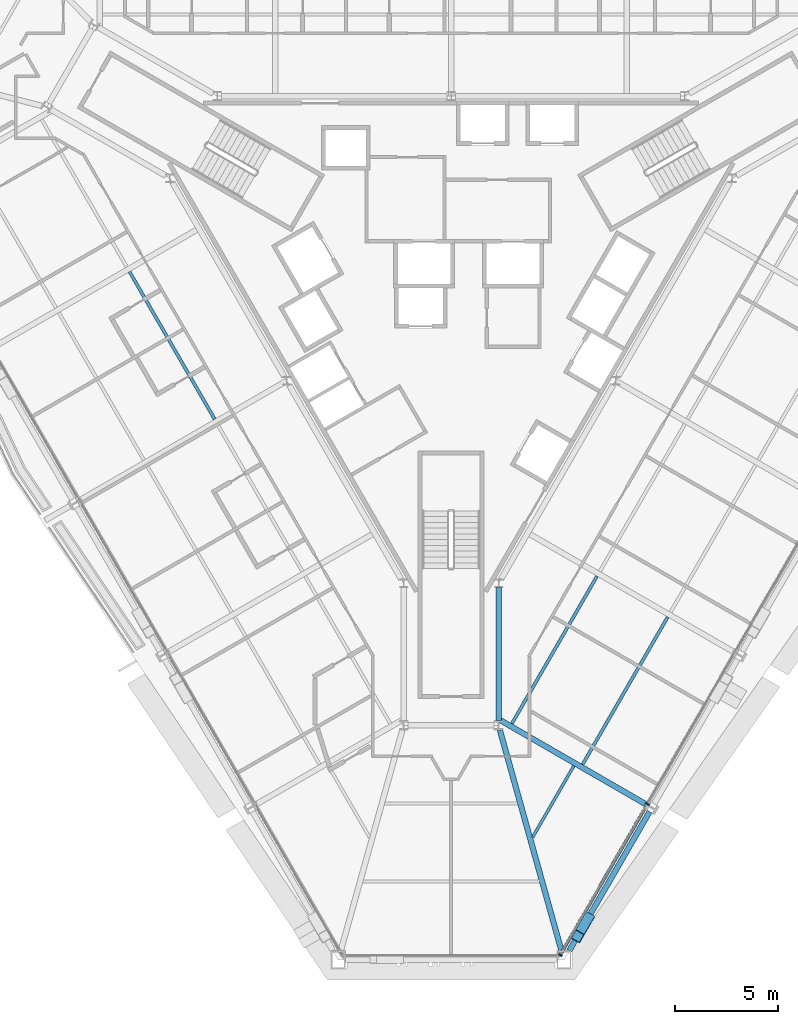
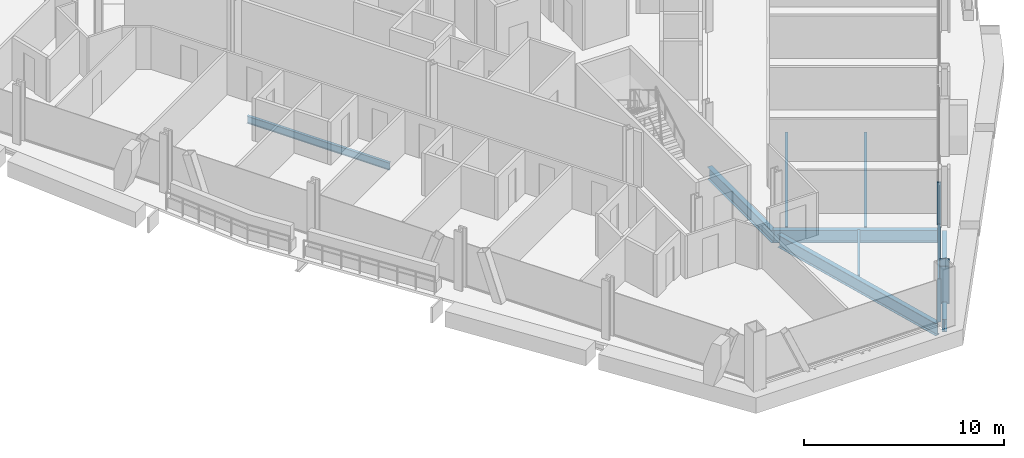
# One storey, part 4 of 18: 8 beams, 4 members, 1 element without a shape of its own.
"""IFC4 building model written with IfcOpenShell, lengths in metres."""

from ifc_helpers import new_model, si_unit, direction, frame, origin, origin_2d, place, context, subcontext, project, spatial, rectangle, hollow_rectangle, i_section, extrude, material, material_profile, profile_set, type_object, element, aggregate, save


model = new_model("IFC4")

# Units and contexts
model_context = context("Model", 3, precision=1e-05, world=origin(), true_north=direction((0.0, 1.0)))
body_context = subcontext(model_context, "Body", "Model", "MODEL_VIEW")
ifc_project = project(units=[si_unit("LENGTHUNIT", "METRE"), si_unit("AREAUNIT", "SQUARE_METRE"), si_unit("VOLUMEUNIT", "CUBIC_METRE"), si_unit("PLANEANGLEUNIT", "RADIAN"), si_unit("MASSUNIT", "GRAM", prefix="KILO")], contexts=[model_context])

# Site, building, storey
site_placement = place(None, origin())
site = spatial("IfcSite", under=ifc_project, at=site_placement, CompositionType="ELEMENT")
building_placement = place(site_placement, origin())
building = spatial("IfcBuilding", under=site, at=building_placement, Name="Verrane Prism Tower", CompositionType="ELEMENT")
storey_placement = place(building_placement, frame((0.0, 0.0, 54.800048828125)))
storey = spatial("IfcBuildingStorey", under=building, at=storey_placement, Name="L11", CompositionType="ELEMENT", Elevation=54.800048828125)

# Beams
ifc_material_1 = material(Name="Steel A992", Category="steel")
ifc_material_profile_1 = material_profile(ifc_material_1, i_section(OverallWidth=0.2666015625, OverallDepth=0.7568359375, WebThickness=0.013916015625, FlangeThickness=0.019287109375, FilletRadius=0.0166015625, at=origin_2d()), Name="W30x108")
ifc_profile_set_1 = profile_set([ifc_material_profile_1], Name="Steel A992")
beam_type_1 = type_object("IfcBeamType", Name="Core ring girder W30x108", PredefinedType="BEAM", material=ifc_profile_set_1)
beam_1_placement = place(storey_placement, frame((2.300048828125, -21.07275390625, -0.628662109375), z_axis=(0.0, 1.0, 0.0), x_axis=(-1.0, 0.0, 0.0)))
element("IfcBeam", 1, at=beam_1_placement, inside=storey, type_object=beam_type_1, Name="Core ring girder L11", PredefinedType="BEAM", context=body_context, shape_type="SweptSolid", body=[
    extrude(i_section(OverallWidth=0.2666015625, OverallDepth=0.7568359375, WebThickness=0.013916015625, FlangeThickness=0.019287109375, FilletRadius=0.0166015625, at=origin_2d()), origin(), (0.0, 0.0, 1.0), 6.4443359375),
])
ifc_material_2 = material(Name="Steel A992", Category="steel")
ifc_material_profile_2 = material_profile(ifc_material_2, i_section(OverallWidth=0.2666015625, OverallDepth=0.76708984375, WebThickness=0.014892578125, FlangeThickness=0.023681640625, FilletRadius=0.0166015625, at=origin_2d()), Name="W30x124")
ifc_profile_set_2 = profile_set([ifc_material_profile_2], Name="Steel A992")
beam_type_2 = type_object("IfcBeamType", Name="Corner girder W30x124", PredefinedType="BEAM", material=ifc_profile_set_2)
beam_2_placement = place(storey_placement, frame((5.344482421875, -32.2099609375, -0.603515625), z_axis=(-0.268799442753, 0.963196168792, 0.0), x_axis=(-0.963196168792, -0.268799442753, 0.0)))
element("IfcBeam", 2, at=beam_2_placement, inside=storey, type_object=beam_type_2, Name="Corner girder L11", PredefinedType="BEAM", context=body_context, shape_type="SweptSolid", body=[
    extrude(i_section(OverallWidth=0.2666015625, OverallDepth=0.76708984375, WebThickness=0.014892578125, FlangeThickness=0.023681640625, FilletRadius=0.0166015625, at=origin_2d()), origin(), (0.0, 0.0, 1.0), 11.0908203125),
])

# Member
ifc_material_3 = material(Name="Steel A1085 Grade A", Category="steel")
ifc_material_profile_3 = material_profile(ifc_material_3, hollow_rectangle(XDim=0.508056640625, YDim=0.508056640625, WallThickness=0.025390625, InnerFilletRadius=0.0126953125, OuterFilletRadius=0.0380859375, at=origin_2d()), Name="HSS20x20x1")
ifc_profile_set_3 = profile_set([ifc_material_profile_3], Name="Steel A1085 Grade A")
member_type_1 = type_object("IfcMemberType", Name="Facade brace HSS20x20x1", PredefinedType="BRACE", material=ifc_profile_set_3)
member_1_placement = place(storey_placement, frame((6.63720703125, -30.640869140625, -0.24267578125), z_axis=(-0.160158675198, -0.277029143898, 0.947419681129), x_axis=(0.86573320432, -0.500505763141, 0.0)))
element("IfcMember", 3, at=member_1_placement, inside=storey, type_object=member_type_1, Name="Facade brace SE0 L11", PredefinedType="BRACE", context=body_context, shape_type="SweptSolid", body=[
    extrude(hollow_rectangle(XDim=0.508056640625, YDim=0.508056640625, WallThickness=0.025390625, InnerFilletRadius=0.0126953125, OuterFilletRadius=0.0380859375, at=origin_2d()), origin(), (0.0, 0.0, 1.0), 3.17529296875),
])

# Beams
ifc_material_4 = material(Name="Steel A992", Category="steel")
ifc_material_profile_4 = material_profile(ifc_material_4, i_section(OverallWidth=0.140380859375, OverallDepth=0.40380859375, WebThickness=0.007080078125, FlangeThickness=0.01123046875, FilletRadius=0.01025390625, at=origin_2d()), Name="W16x31")
ifc_profile_set_4 = profile_set([ifc_material_profile_4], Name="Steel A992")
beam_type_3 = type_object("IfcBeamType", Name="Floor beam W16x31", PredefinedType="BEAM", material=ifc_profile_set_4)
beam_3_placement = place(storey_placement, frame((3.950927734375, -26.719970703125, -0.362060546875), z_axis=(0.499997556188, 0.866026814715, 0.0), x_axis=(-0.866026814715, 0.499997556188, 0.0)))
element("IfcBeam", 4, at=beam_3_placement, inside=storey, type_object=beam_type_3, Name="Floor beam L11", PredefinedType="BEAM", context=body_context, shape_type="SweptSolid", body=[
    extrude(i_section(OverallWidth=0.140380859375, OverallDepth=0.40380859375, WebThickness=0.007080078125, FlangeThickness=0.01123046875, FilletRadius=0.01025390625, at=origin_2d()), origin(), (0.0, 0.0, 1.0), 3.99462890625),
])
ifc_material_5 = material(Name="Steel A992", Category="steel")
ifc_material_profile_5 = material_profile(ifc_material_5, i_section(OverallWidth=0.15234375, OverallDepth=0.449462890625, WebThickness=0.007568359375, FlangeThickness=0.0107421875, FilletRadius=0.01025390625, at=origin_2d()), Name="W18x35")
ifc_profile_set_5 = profile_set([ifc_material_profile_5], Name="Steel A992")
beam_type_4 = type_object("IfcBeamType", Name="Floor beam W18x35", PredefinedType="BEAM", material=ifc_profile_set_5)
beam_4_placement = place(storey_placement, frame((-11.4580078125, -6.461181640625, -0.384765625), z_axis=(-0.500002492643, 0.866023964651, 0.0), x_axis=(-0.866023964651, -0.500002492643, 0.0)))
element("IfcBeam", 5, at=beam_4_placement, inside=storey, type_object=beam_type_4, Name="Floor beam L11", PredefinedType="BEAM", context=body_context, shape_type="SweptSolid", body=[
    extrude(i_section(OverallWidth=0.15234375, OverallDepth=0.449462890625, WebThickness=0.007568359375, FlangeThickness=0.0107421875, FilletRadius=0.01025390625, at=origin_2d()), origin(), (0.0, 0.0, 1.0), 8.2509765625),
])
beam_5_placement = place(storey_placement, frame((6.370361328125, -23.196044921875, -0.384765625), z_axis=(0.499992194788, 0.866029910079, 0.0), x_axis=(-0.866029910079, 0.499992194788, 0.0)))
element("IfcBeam", 6, at=beam_5_placement, inside=storey, type_object=beam_type_4, Name="Floor beam L11", PredefinedType="BEAM", context=body_context, shape_type="SweptSolid", body=[
    extrude(i_section(OverallWidth=0.15234375, OverallDepth=0.449462890625, WebThickness=0.007568359375, FlangeThickness=0.0107421875, FilletRadius=0.01025390625, at=origin_2d()), origin(), (0.0, 0.0, 1.0), 8.252685546875),
])
beam_6_placement = place(storey_placement, frame((2.944091796875, -21.2177734375, -0.384765625), z_axis=(0.499989680267, 0.866031361803, 0.0), x_axis=(-0.866031361803, 0.499989680267, 0.0)))
element("IfcBeam", 7, at=beam_6_placement, inside=storey, type_object=beam_type_4, Name="Floor beam L11", PredefinedType="BEAM", context=body_context, shape_type="SweptSolid", body=[
    extrude(i_section(OverallWidth=0.15234375, OverallDepth=0.449462890625, WebThickness=0.007568359375, FlangeThickness=0.0107421875, FilletRadius=0.01025390625, at=origin_2d()), origin(), (0.0, 0.0, 1.0), 8.251220703125),
])

# Curtain wall, members
ifc_material_6 = material(Name="Aluminium framed insulated glazing", Category="aluminium")
curtain_wall_type = type_object("IfcCurtainWallType", Name="Curtain wall CW-A 8400 module", PredefinedType="NOTDEFINED", material=ifc_material_6)
curtain_wall_placement = place(storey_placement, origin())
curtain_wall = element("IfcCurtainWall", 8, at=curtain_wall_placement, inside=storey, type_object=curtain_wall_type, Name="Glazed curtain wall south-east face L11", PredefinedType="NOTDEFINED")
ifc_material_7 = material(Name="Aluminium alloy 6063-T6", Category="aluminium")
ifc_material_profile_6 = material_profile(ifc_material_7, rectangle(XDim=0.199951171875, YDim=0.070068359375, at=origin_2d()), Name="Mullion 70x200 aluminium")
ifc_profile_set_6 = profile_set([ifc_material_profile_6], Name="Aluminium alloy 6063-T6")
member_type_2 = type_object("IfcMemberType", Name="Mullion 70x200 aluminium", PredefinedType="MULLION", material=ifc_profile_set_6)
member_2_placement = place(storey_placement, frame((5.285400390625, -32.427490234375, 0.0), z_axis=(0.0, 0.0, 1.0), x_axis=(-0.866025694591, 0.499999496308, 0.0)))
member_2 = element("IfcMember", 9, at=member_2_placement, type_object=member_type_2, Name="CW09.6 mullion 1", PredefinedType="MULLION", context=body_context, shape_type="SweptSolid", body=[
    extrude(rectangle(XDim=0.199951171875, YDim=0.070068359375, at=origin_2d()), origin(), (0.0, 0.0, 1.0), 2.61279296875),
])
member_3_placement = place(storey_placement, frame((9.513671875, -25.103515625, 0.0), z_axis=(0.0, 0.0, 1.0), x_axis=(-0.866025694591, 0.499999496308, 0.0)))
member_3 = element("IfcMember", 10, at=member_3_placement, type_object=member_type_2, Name="CW09.6 mullion 2", PredefinedType="MULLION", context=body_context, shape_type="SweptSolid", body=[
    extrude(rectangle(XDim=0.199951171875, YDim=0.070068359375, at=origin_2d()), origin(), (0.0, 0.0, 1.0), 2.61279296875),
])

# Beams
ifc_material_8 = material(Name="Steel A992", Category="steel")
ifc_material_profile_7 = material_profile(ifc_material_8, i_section(OverallWidth=0.2666015625, OverallDepth=0.76708984375, WebThickness=0.014892578125, FlangeThickness=0.023681640625, FilletRadius=0.0166015625, at=origin_2d()), Name="W30x124")
ifc_profile_set_7 = profile_set([ifc_material_profile_7], Name="Steel A992")
beam_type_5 = type_object("IfcBeamType", Name="Radial girder W30x124", PredefinedType="BEAM", material=ifc_profile_set_7)
beam_7_placement = place(storey_placement, frame((9.5, -25.1572265625, -0.603515625), z_axis=(-0.86602078527, 0.500007999416, 0.0), x_axis=(-0.500007999416, -0.86602078527, 0.0)))
element("IfcBeam", 11, at=beam_7_placement, inside=storey, type_object=beam_type_5, Name="Radial girder L11", PredefinedType="BEAM", context=body_context, shape_type="SweptSolid", body=[
    extrude(i_section(OverallWidth=0.2666015625, OverallDepth=0.76708984375, WebThickness=0.014892578125, FlangeThickness=0.023681640625, FilletRadius=0.0166015625, at=origin_2d()), origin(), (0.0, 0.0, 1.0), 8.313720703125),
])
ifc_material_9 = material(Name="Steel A992", Category="steel")
ifc_material_profile_8 = material_profile(ifc_material_9, i_section(OverallWidth=0.2666015625, OverallDepth=0.7568359375, WebThickness=0.013916015625, FlangeThickness=0.019287109375, FilletRadius=0.0166015625, at=origin_2d()), Name="W30x108")
ifc_profile_set_8 = profile_set([ifc_material_profile_8], Name="Steel A992")
beam_type_6 = type_object("IfcBeamType", Name="Spandrel beam W30x108", PredefinedType="SPANDREL", material=ifc_profile_set_8)
beam_8_placement = place(storey_placement, frame((5.72998046875, -32.2099609375, -0.53857421875), z_axis=(0.500439305817, 0.865771621846, 0.0), x_axis=(-0.865771621846, 0.500439305817, 0.0)))
element("IfcBeam", 12, at=beam_8_placement, inside=storey, type_object=beam_type_6, Name="Spandrel beam L11", PredefinedType="SPANDREL", context=body_context, shape_type="SweptSolid", body=[
    extrude(i_section(OverallWidth=0.2666015625, OverallDepth=0.7568359375, WebThickness=0.013916015625, FlangeThickness=0.019287109375, FilletRadius=0.0166015625, at=origin_2d()), origin(), (0.0, 0.0, 1.0), 7.77197265625),
])

# Member
ifc_material_10 = material(Name="Aluminium alloy 6063-T6", Category="aluminium")
ifc_material_profile_9 = material_profile(ifc_material_10, rectangle(XDim=0.14990234375, YDim=0.070068359375, at=origin_2d()), Name="Transom 70x150 aluminium")
ifc_profile_set_9 = profile_set([ifc_material_profile_9], Name="Aluminium alloy 6063-T6")
member_type_3 = type_object("IfcMemberType", Name="Transom 70x150 aluminium", PredefinedType="USERDEFINED", material=ifc_profile_set_9)
member_4_placement = place(storey_placement, frame((5.302978515625, -32.39697265625, 0.034912109375), z_axis=(0.500008882625, 0.866020275338, 0.0), x_axis=(-0.866020275338, 0.500008882625, 0.0)))
member_4 = element("IfcMember", 13, at=member_4_placement, type_object=member_type_3, Name="CW09.6 transom 1", ObjectType="TRANSOM", PredefinedType="USERDEFINED", context=body_context, shape_type="SweptSolid", body=[
    extrude(rectangle(XDim=0.14990234375, YDim=0.070068359375, at=origin_2d()), origin(), (0.0, 0.0, 1.0), 8.386474609375),
])

aggregate(curtain_wall, [member_2, member_3, member_4])

save(model, "model.ifc")
